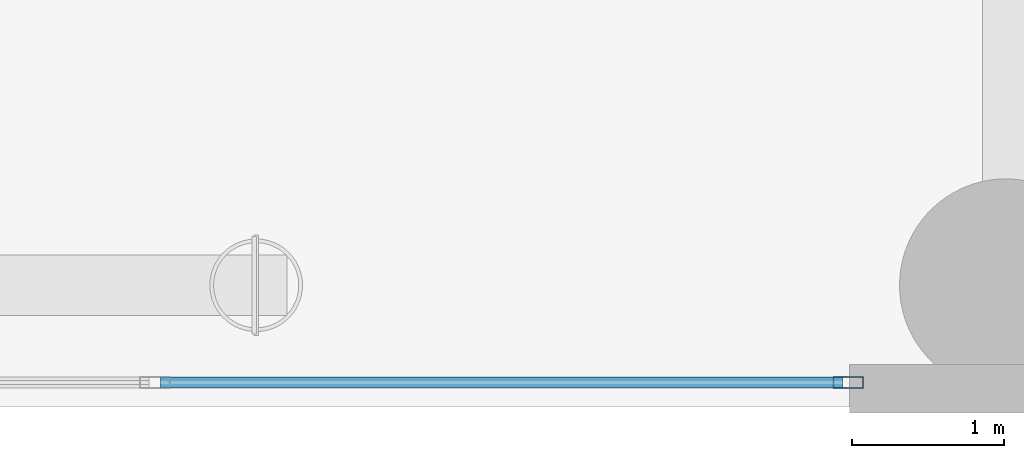
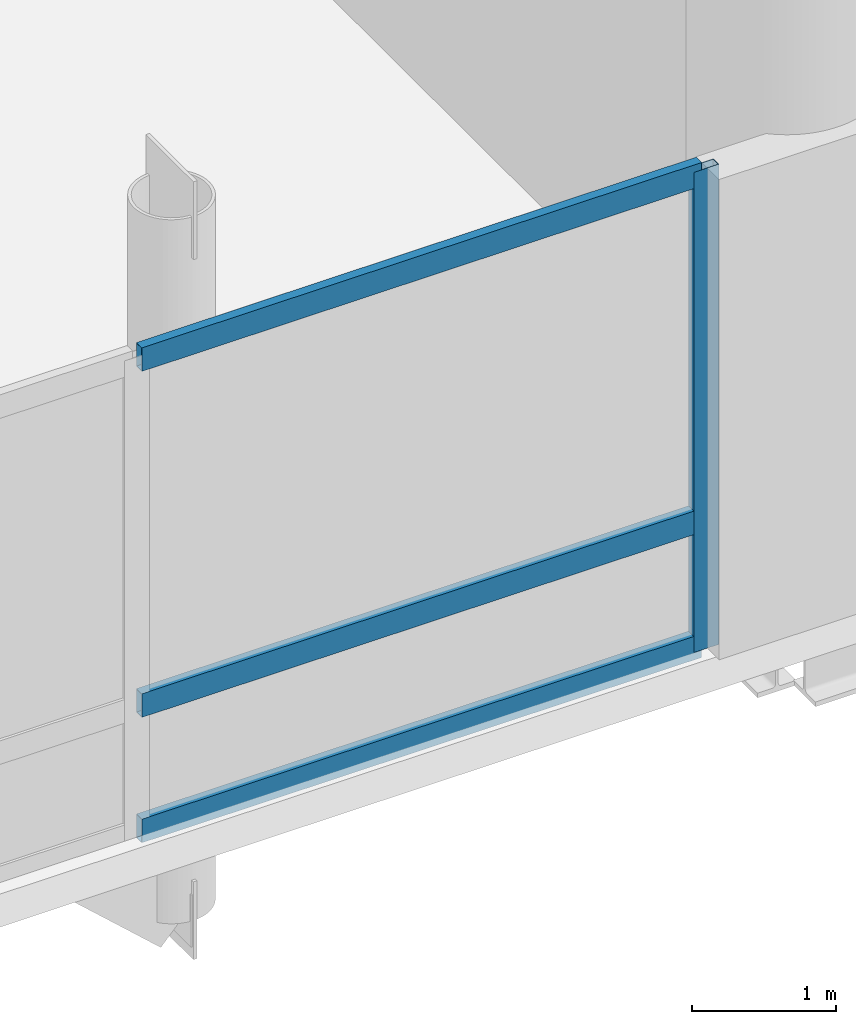
# One storey, part 13 of 36: 4 members, 1 element without a shape of its own.
"""IFC4 building model written with IfcOpenShell, lengths in metres."""

import ifcopenshell
import ifcopenshell.guid

model = None  # the IFC model being written
_history = None  # IfcOwnerHistory: only IFC2X3 demands one
_inside = {}  # id of a spatial element -> (the spatial element, [elements in it])
_under = {}  # id of a project, library or spatial element -> (it, [spatial elements below it])
_declared = {}  # id of a project -> (the project, [libraries it declares])
_typed = {}  # id of a type object -> (the type object, [elements of that type])
_made_of = {}  # id of a material, layer set ... -> (it, [elements and type objects made of it])


def new_model(schema):
    """Start an empty IFC model of exactly this schema.

    Asked for "IFC4X3", IfcOpenShell would pick the latest addendum, in which some entities
    have other attributes; the version numbers below select the first issue.
    IFC2X3 requires an IfcOwnerHistory on every rooted entity: one is made here for all.
    """
    global model, _history
    if schema == "IFC4X3":
        model = ifcopenshell.file(schema_version=(4, 3, 0, 0))
    else:
        model = ifcopenshell.file(schema=schema)
    _inside.clear()
    _under.clear()
    _declared.clear()
    _typed.clear()
    _made_of.clear()
    _history = None
    if model.schema == "IFC2X3":
        org = make("IfcOrganization", Name="unknown")
        user = make(
            "IfcPersonAndOrganization",
            ThePerson=make("IfcPerson", FamilyName="unknown"),
            TheOrganization=org,
        )
        app = make(
            "IfcApplication",
            ApplicationDeveloper=org,
            Version="unknown",
            ApplicationFullName="unknown",
            ApplicationIdentifier="unknown",
        )
        _history = make(
            "IfcOwnerHistory",
            OwningUser=user,
            OwningApplication=app,
            ChangeAction="ADDED",
            CreationDate=0,
        )
    return model


def make(cls, **values):
    """One entity of the class cls with the attributes given. An attribute that is None is left unset."""
    return model.create_entity(
        cls, **{name: value for name, value in values.items() if value is not None}
    )


def rooted(cls, **values):
    """An entity with a GlobalId (a new one), such as an element, a storey or a relation."""
    return make(cls, GlobalId=ifcopenshell.guid.new(), OwnerHistory=_history, **values)


def si_unit(unit_type, name, prefix=None):
    """IfcSIUnit, for example si_unit("LENGTHUNIT", "METRE", prefix="MILLI")."""
    return make("IfcSIUnit", UnitType=unit_type, Prefix=prefix, Name=name)


def assignment(units):
    """IfcUnitAssignment: the units of a project."""
    return None if units is None else make("IfcUnitAssignment", Units=units)


def point(xyz):
    """IfcCartesianPoint."""
    return None if xyz is None else make("IfcCartesianPoint", Coordinates=xyz)


def direction(xyz):
    """IfcDirection."""
    return None if xyz is None else make("IfcDirection", DirectionRatios=xyz)


def frame(location, z_axis=None, x_axis=None):
    """IfcAxis2Placement3D, a coordinate frame: its origin and axes. An axis left out is left unset."""
    return make(
        "IfcAxis2Placement3D",
        Location=point(location),
        Axis=direction(z_axis),
        RefDirection=direction(x_axis),
    )


def frame_2d(location, x_axis=None):
    """IfcAxis2Placement2D, a coordinate frame in the plane: its origin and x axis."""
    return make(
        "IfcAxis2Placement2D", Location=point(location), RefDirection=direction(x_axis)
    )


def origin():
    """The frame at (0, 0, 0) with its axes left unset."""
    return frame((0.0, 0.0, 0.0))


def origin_2d():
    """The frame at (0, 0) in the plane with its x axis left unset."""
    return frame_2d((0.0, 0.0))


def place(relative_to, where):
    """IfcLocalPlacement: puts the frame where relative to a parent placement (None: the world)."""
    return make(
        "IfcLocalPlacement", PlacementRelTo=relative_to, RelativePlacement=where
    )


def context(
    kind, dimensions, precision=None, world=None, true_north=None, identifier=None
):
    """IfcGeometricRepresentationContext, for example the 3D "Model" context."""
    return make(
        "IfcGeometricRepresentationContext",
        ContextIdentifier=identifier,
        ContextType=kind,
        CoordinateSpaceDimension=dimensions,
        Precision=precision,
        WorldCoordinateSystem=world,
        TrueNorth=true_north,
    )


def subcontext(parent, identifier, kind, view, scale=None):
    """IfcGeometricRepresentationSubContext, for example "Body" below "Model"."""
    return make(
        "IfcGeometricRepresentationSubContext",
        ContextIdentifier=identifier,
        ContextType=kind,
        ParentContext=parent,
        TargetScale=scale,
        TargetView=view,
    )


def project(units=None, contexts=None):
    """IfcProject with its units and contexts."""
    return rooted(
        "IfcProject",
        Name="project",
        RepresentationContexts=contexts,
        UnitsInContext=assignment(units),
    )


def spatial(cls, under=None, at=None, **own):
    """A site, building, storey or space (cls), placed at a placement, below another one or the project."""
    s = rooted(cls, ObjectPlacement=at, **own)
    if under is not None:
        _under.setdefault(under.id(), (under, []))[1].append(s)
    return s


def profile(cls, at=None, kind="AREA", **sizes):
    """A parametric profile (cls). Its sizes go by their IFC names, for example OverallWidth=200.0."""
    return make(cls, ProfileType=kind, Position=at, **sizes)


def hollow_rectangle(**sizes):
    """IfcRectangleHollowProfileDef."""
    return profile("IfcRectangleHollowProfileDef", **sizes)


def extrude(swept, where, along, depth):
    """IfcExtrudedAreaSolid: the profile swept, set in the frame where, extruded along a direction by depth."""
    return make(
        "IfcExtrudedAreaSolid",
        SweptArea=swept,
        Position=where,
        ExtrudedDirection=direction(along),
        Depth=depth,
    )


def shape(context_of_items, identifier, shape_type, items):
    """IfcShapeRepresentation: the items that make up one representation, for example the "Body"."""
    return make(
        "IfcShapeRepresentation",
        ContextOfItems=context_of_items,
        RepresentationIdentifier=identifier,
        RepresentationType=shape_type,
        Items=items,
    )


def material(Name=None, Category=None):
    """IfcMaterial."""
    return make("IfcMaterial", Name=Name, Category=Category)


def layer(
    of_material, thickness, ventilated=None, Name=None, Category=None, Priority=None
):
    """IfcMaterialLayer: one layer of a wall or slab, of a material (None: an air gap)."""
    return make(
        "IfcMaterialLayer",
        Material=of_material,
        LayerThickness=thickness,
        IsVentilated=ventilated,
        Name=Name,
        Category=Category,
        Priority=Priority,
    )


def layer_set(layers, Name=None):
    """IfcMaterialLayerSet."""
    return make("IfcMaterialLayerSet", MaterialLayers=layers, LayerSetName=Name)


def material_profile(
    of_material, cross_section, Name=None, Category=None, Priority=None
):
    """IfcMaterialProfile: a cross section and its material."""
    return make(
        "IfcMaterialProfile",
        Name=Name,
        Material=of_material,
        Profile=cross_section,
        Priority=Priority,
        Category=Category,
    )


def profile_set(profiles, Name=None, composite=None):
    """IfcMaterialProfileSet."""
    return make(
        "IfcMaterialProfileSet",
        Name=Name,
        MaterialProfiles=profiles,
        CompositeProfile=composite,
    )


def made_of(thing, what):
    """Note that an element or type object is made of a material, layer set ...; save() writes the relation."""
    if what is not None:
        _made_of.setdefault(what.id(), (what, []))[1].append(thing)
    return thing


def type_object(cls, material=None, **own):
    """A type object (cls), such as IfcWallType, which elements share."""
    return made_of(rooted(cls, **own), material)


def element(
    cls,
    number,
    at=None,
    inside=None,
    cuts=None,
    type_object=None,
    material=None,
    context=None,
    identifier="Body",
    shape_type=None,
    held_by="IfcProductDefinitionShape",
    body=None,
    shapes=None,
    **own,
):
    """One element of the class cls, such as IfcWall. Its Tag is "e" and its number.

    at: its placement. inside: the storey or other place that contains it. cuts: it is an
    opening in that element (IfcRelVoidsElement). A single representation is given by context,
    identifier, shape_type and body (its items); several are given by shapes. held_by: the class
    of the entity that holds the representations. save() writes the other relations.
    """
    e = rooted(cls, Tag="e%d" % number, ObjectPlacement=at, **own)
    if body is not None:
        shapes = [shape(context, identifier, shape_type, body)]
    if shapes is not None:
        e.Representation = make(held_by, Representations=shapes)
    if inside is not None:
        _inside.setdefault(inside.id(), (inside, []))[1].append(e)
    if cuts is not None:
        rooted(
            "IfcRelVoidsElement", RelatingBuildingElement=cuts, RelatedOpeningElement=e
        )
    if type_object is not None:
        _typed.setdefault(type_object.id(), (type_object, []))[1].append(e)
    return made_of(e, material)


def aggregate(whole, parts):
    """IfcRelAggregates: a whole, such as a stair, and the parts it consists of."""
    return rooted("IfcRelAggregates", RelatingObject=whole, RelatedObjects=parts)


def save(model, path):
    """Write the relations noted so far, then the file.

    IfcRelAggregates (storeys below a building ...), IfcRelContainedInSpatialStructure (elements
    in a storey), IfcRelDefinesByType, IfcRelAssociatesMaterial and IfcRelDeclares: one each for
    every whole, place, type object, material and project.
    """
    for whole, parts in _under.values():
        aggregate(whole, parts)
    for where, things in _inside.values():
        rooted(
            "IfcRelContainedInSpatialStructure",
            RelatedElements=things,
            RelatingStructure=where,
        )
    for kind, things in _typed.values():
        rooted("IfcRelDefinesByType", RelatedObjects=things, RelatingType=kind)
    for what, things in _made_of.values():
        rooted("IfcRelAssociatesMaterial", RelatedObjects=things, RelatingMaterial=what)
    for by, libraries in _declared.values():
        rooted("IfcRelDeclares", RelatingContext=by, RelatedDefinitions=libraries)
    model.write(path)


model = new_model("IFC4")

# Units and contexts
model_context = context("Model", 3, precision=1e-05, world=origin(), true_north=direction((0.0, 1.0)))
body_context = subcontext(model_context, "Body", "Model", "MODEL_VIEW")
ifc_project = project(units=[si_unit("LENGTHUNIT", "METRE"), si_unit("AREAUNIT", "SQUARE_METRE"), si_unit("VOLUMEUNIT", "CUBIC_METRE"), si_unit("PLANEANGLEUNIT", "RADIAN"), si_unit("MASSUNIT", "GRAM", prefix="KILO")], contexts=[model_context])

# Site, building, storey
site_placement = place(None, origin())
site = spatial("IfcSite", under=ifc_project, at=site_placement, CompositionType="ELEMENT")
building_placement = place(site_placement, origin())
building = spatial("IfcBuilding", under=site, at=building_placement, Name="Varnelok Gate Tower", CompositionType="ELEMENT")
storey_placement = place(building_placement, frame((0.0, 0.0, 10.800048828125)))
storey = spatial("IfcBuildingStorey", under=building, at=storey_placement, Name="L02", CompositionType="ELEMENT", Elevation=10.800048828125)

# Curtain wall, members
ifc_material = material(Name="Anodized Aluminum Alloy 6063-T6", Category="aluminium")
ifc_layer = layer(ifc_material, 0.179931640625)
ifc_layer_set = layer_set([ifc_layer], Name="Anodized Aluminum Alloy 6063-T6")
curtain_wall_type = type_object("IfcCurtainWallType", Name="CW1-ARCH-PORTAL", PredefinedType="USERDEFINED", material=ifc_layer_set)
curtain_wall_placement = place(storey_placement, origin())
curtain_wall = element("IfcCurtainWall", 1, at=curtain_wall_placement, inside=storey, type_object=curtain_wall_type, Name="L02 Giant Arch Portal Glazed Curtain Wall", ObjectType="UNITISED CURTAIN WALL", PredefinedType="USERDEFINED")
ifc_material_profile_1 = material_profile(ifc_material, hollow_rectangle(XDim=0.074951171875, YDim=0.199951171875, WallThickness=0.00390625, at=origin_2d()), Name="ALU200X75X4")
ifc_profile_set_1 = profile_set([ifc_material_profile_1], Name="Anodized Aluminum Alloy 6063-T6")
member_type_1 = type_object("IfcMemberType", Name="CW-MULL-200", PredefinedType="MULLION", material=ifc_profile_set_1)
member_1_placement = place(storey_placement, frame((52.96240234375, 0.159912109375, 0.0), z_axis=(0.0, 0.0, 1.0), x_axis=(0.0, -1.0, 0.0)))
member_1 = element("IfcMember", 2, at=member_1_placement, type_object=member_type_1, Name="CW1 mullion 1", PredefinedType="MULLION", context=body_context, shape_type="SweptSolid", body=[
    extrude(hollow_rectangle(XDim=0.074951171875, YDim=0.199951171875, WallThickness=0.00390625, at=origin_2d()), origin(), (0.0, 0.0, 1.0), 4.070068359375),
])
ifc_material_profile_2 = material_profile(ifc_material, hollow_rectangle(XDim=0.074951171875, YDim=0.199951171875, WallThickness=0.00390625, at=origin_2d()), Name="ALU200X75X4")
ifc_profile_set_2 = profile_set([ifc_material_profile_2], Name="Anodized Aluminum Alloy 6063-T6")
member_type_2 = type_object("IfcMemberType", Name="CW-TRAN-200", PredefinedType="USERDEFINED", material=ifc_profile_set_2)
member_2_placement = place(storey_placement, frame((52.925048828125, 0.159912109375, 0.037353515625), z_axis=(-1.0, 0.0, 0.0), x_axis=(0.0, -1.0, 0.0)))
member_2 = element("IfcMember", 3, at=member_2_placement, type_object=member_type_2, Name="CW1 transom 1.1", ObjectType="TRANSOM", PredefinedType="USERDEFINED", context=body_context, shape_type="SweptSolid", body=[
    extrude(hollow_rectangle(XDim=0.074951171875, YDim=0.199951171875, WallThickness=0.00390625, at=origin_2d()), origin(), (0.0, 0.0, 1.0), 4.487548828125),
])
member_3_placement = place(storey_placement, frame((52.925048828125, 0.159912109375, 1.099853515625), z_axis=(-1.0, 0.0, 0.0), x_axis=(0.0, -1.0, 0.0)))
member_3 = element("IfcMember", 4, at=member_3_placement, type_object=member_type_2, Name="CW1 transom 1.2", ObjectType="TRANSOM", PredefinedType="USERDEFINED", context=body_context, shape_type="SweptSolid", body=[
    extrude(hollow_rectangle(XDim=0.074951171875, YDim=0.199951171875, WallThickness=0.00390625, at=origin_2d()), origin(), (0.0, 0.0, 1.0), 4.487548828125),
])
member_4_placement = place(storey_placement, frame((52.925048828125, 0.159912109375, 4.032470703125), z_axis=(-1.0, 0.0, 0.0), x_axis=(0.0, -1.0, 0.0)))
member_4 = element("IfcMember", 5, at=member_4_placement, type_object=member_type_2, Name="CW1 transom 1.3", ObjectType="TRANSOM", PredefinedType="USERDEFINED", context=body_context, shape_type="SweptSolid", body=[
    extrude(hollow_rectangle(XDim=0.074951171875, YDim=0.199951171875, WallThickness=0.00390625, at=origin_2d()), origin(), (0.0, 0.0, 1.0), 4.487548828125),
])
aggregate(curtain_wall, [member_1, member_2, member_3, member_4])

save(model, "model.ifc")
